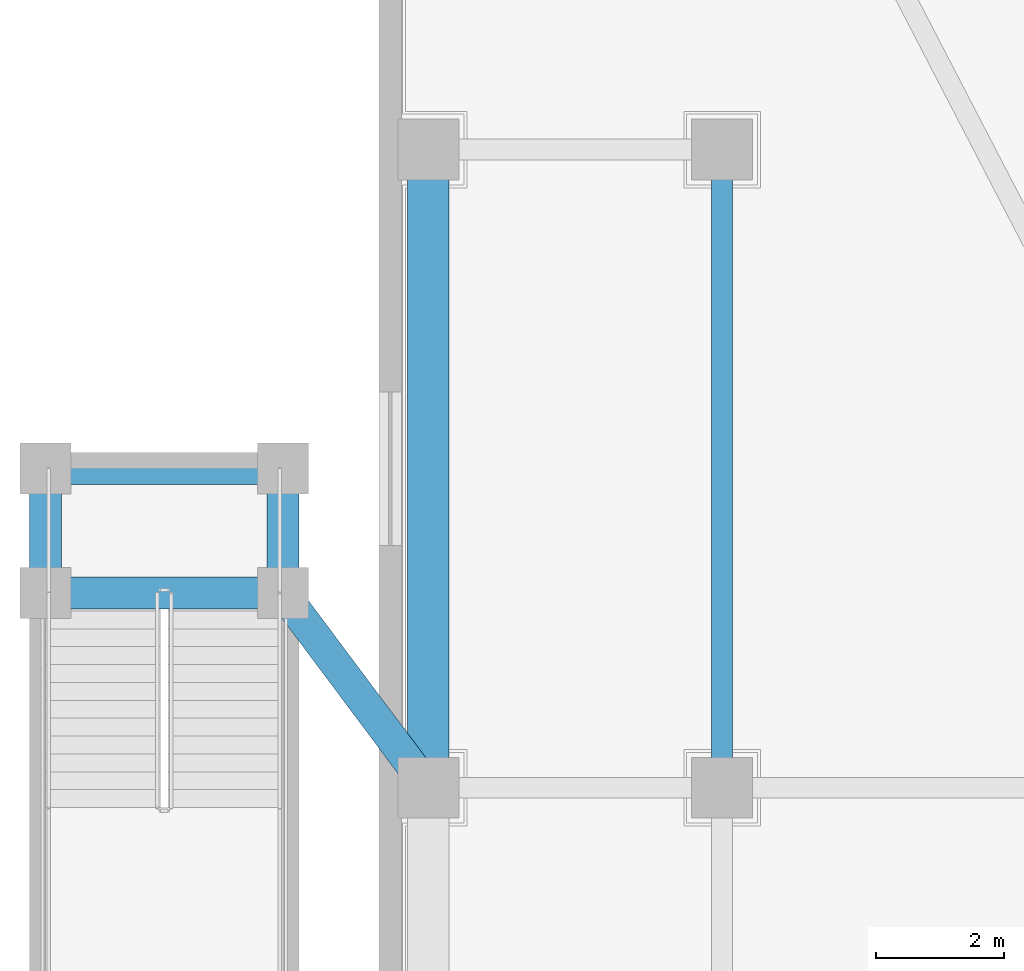
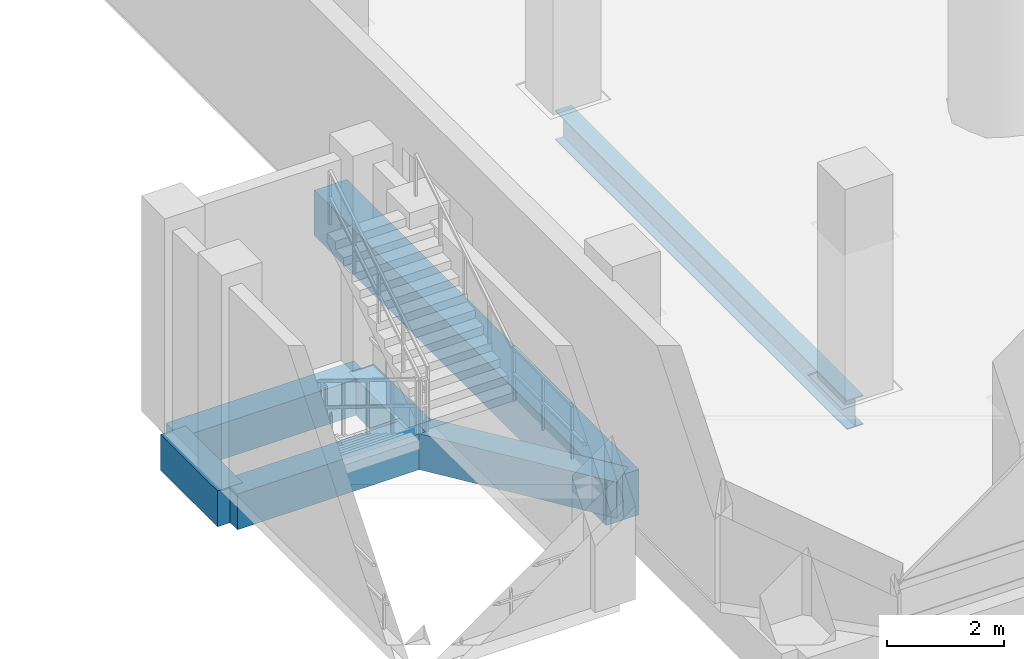
# One storey, part 3 of 36: 7 beams.
"""IFC4 building model written with IfcOpenShell, lengths in metres."""

import ifcopenshell
import ifcopenshell.guid

model = None  # the IFC model being written
_history = None  # IfcOwnerHistory: only IFC2X3 demands one
_inside = {}  # id of a spatial element -> (the spatial element, [elements in it])
_under = {}  # id of a project, library or spatial element -> (it, [spatial elements below it])
_declared = {}  # id of a project -> (the project, [libraries it declares])
_typed = {}  # id of a type object -> (the type object, [elements of that type])
_made_of = {}  # id of a material, layer set ... -> (it, [elements and type objects made of it])


def new_model(schema):
    """Start an empty IFC model of exactly this schema.

    Asked for "IFC4X3", IfcOpenShell would pick the latest addendum, in which some entities
    have other attributes; the version numbers below select the first issue.
    IFC2X3 requires an IfcOwnerHistory on every rooted entity: one is made here for all.
    """
    global model, _history
    if schema == "IFC4X3":
        model = ifcopenshell.file(schema_version=(4, 3, 0, 0))
    else:
        model = ifcopenshell.file(schema=schema)
    _inside.clear()
    _under.clear()
    _declared.clear()
    _typed.clear()
    _made_of.clear()
    _history = None
    if model.schema == "IFC2X3":
        org = make("IfcOrganization", Name="unknown")
        user = make(
            "IfcPersonAndOrganization",
            ThePerson=make("IfcPerson", FamilyName="unknown"),
            TheOrganization=org,
        )
        app = make(
            "IfcApplication",
            ApplicationDeveloper=org,
            Version="unknown",
            ApplicationFullName="unknown",
            ApplicationIdentifier="unknown",
        )
        _history = make(
            "IfcOwnerHistory",
            OwningUser=user,
            OwningApplication=app,
            ChangeAction="ADDED",
            CreationDate=0,
        )
    return model


def make(cls, **values):
    """One entity of the class cls with the attributes given. An attribute that is None is left unset."""
    return model.create_entity(
        cls, **{name: value for name, value in values.items() if value is not None}
    )


def rooted(cls, **values):
    """An entity with a GlobalId (a new one), such as an element, a storey or a relation."""
    return make(cls, GlobalId=ifcopenshell.guid.new(), OwnerHistory=_history, **values)


def si_unit(unit_type, name, prefix=None):
    """IfcSIUnit, for example si_unit("LENGTHUNIT", "METRE", prefix="MILLI")."""
    return make("IfcSIUnit", UnitType=unit_type, Prefix=prefix, Name=name)


def assignment(units):
    """IfcUnitAssignment: the units of a project."""
    return None if units is None else make("IfcUnitAssignment", Units=units)


def point(xyz):
    """IfcCartesianPoint."""
    return None if xyz is None else make("IfcCartesianPoint", Coordinates=xyz)


def direction(xyz):
    """IfcDirection."""
    return None if xyz is None else make("IfcDirection", DirectionRatios=xyz)


def frame(location, z_axis=None, x_axis=None):
    """IfcAxis2Placement3D, a coordinate frame: its origin and axes. An axis left out is left unset."""
    return make(
        "IfcAxis2Placement3D",
        Location=point(location),
        Axis=direction(z_axis),
        RefDirection=direction(x_axis),
    )


def frame_2d(location, x_axis=None):
    """IfcAxis2Placement2D, a coordinate frame in the plane: its origin and x axis."""
    return make(
        "IfcAxis2Placement2D", Location=point(location), RefDirection=direction(x_axis)
    )


def origin():
    """The frame at (0, 0, 0) with its axes left unset."""
    return frame((0.0, 0.0, 0.0))


def origin_2d():
    """The frame at (0, 0) in the plane with its x axis left unset."""
    return frame_2d((0.0, 0.0))


def place(relative_to, where):
    """IfcLocalPlacement: puts the frame where relative to a parent placement (None: the world)."""
    return make(
        "IfcLocalPlacement", PlacementRelTo=relative_to, RelativePlacement=where
    )


def context(
    kind, dimensions, precision=None, world=None, true_north=None, identifier=None
):
    """IfcGeometricRepresentationContext, for example the 3D "Model" context."""
    return make(
        "IfcGeometricRepresentationContext",
        ContextIdentifier=identifier,
        ContextType=kind,
        CoordinateSpaceDimension=dimensions,
        Precision=precision,
        WorldCoordinateSystem=world,
        TrueNorth=true_north,
    )


def subcontext(parent, identifier, kind, view, scale=None):
    """IfcGeometricRepresentationSubContext, for example "Body" below "Model"."""
    return make(
        "IfcGeometricRepresentationSubContext",
        ContextIdentifier=identifier,
        ContextType=kind,
        ParentContext=parent,
        TargetScale=scale,
        TargetView=view,
    )


def project(units=None, contexts=None):
    """IfcProject with its units and contexts."""
    return rooted(
        "IfcProject",
        Name="project",
        RepresentationContexts=contexts,
        UnitsInContext=assignment(units),
    )


def spatial(cls, under=None, at=None, **own):
    """A site, building, storey or space (cls), placed at a placement, below another one or the project."""
    s = rooted(cls, ObjectPlacement=at, **own)
    if under is not None:
        _under.setdefault(under.id(), (under, []))[1].append(s)
    return s


def profile(cls, at=None, kind="AREA", **sizes):
    """A parametric profile (cls). Its sizes go by their IFC names, for example OverallWidth=200.0."""
    return make(cls, ProfileType=kind, Position=at, **sizes)


def rectangle(**sizes):
    """IfcRectangleProfileDef."""
    return profile("IfcRectangleProfileDef", **sizes)


def i_section(**sizes):
    """IfcIShapeProfileDef."""
    return profile("IfcIShapeProfileDef", **sizes)


def extrude(swept, where, along, depth):
    """IfcExtrudedAreaSolid: the profile swept, set in the frame where, extruded along a direction by depth."""
    return make(
        "IfcExtrudedAreaSolid",
        SweptArea=swept,
        Position=where,
        ExtrudedDirection=direction(along),
        Depth=depth,
    )


def shape(context_of_items, identifier, shape_type, items):
    """IfcShapeRepresentation: the items that make up one representation, for example the "Body"."""
    return make(
        "IfcShapeRepresentation",
        ContextOfItems=context_of_items,
        RepresentationIdentifier=identifier,
        RepresentationType=shape_type,
        Items=items,
    )


def material(Name=None, Category=None):
    """IfcMaterial."""
    return make("IfcMaterial", Name=Name, Category=Category)


def material_profile(
    of_material, cross_section, Name=None, Category=None, Priority=None
):
    """IfcMaterialProfile: a cross section and its material."""
    return make(
        "IfcMaterialProfile",
        Name=Name,
        Material=of_material,
        Profile=cross_section,
        Priority=Priority,
        Category=Category,
    )


def profile_set(profiles, Name=None, composite=None):
    """IfcMaterialProfileSet."""
    return make(
        "IfcMaterialProfileSet",
        Name=Name,
        MaterialProfiles=profiles,
        CompositeProfile=composite,
    )


def made_of(thing, what):
    """Note that an element or type object is made of a material, layer set ...; save() writes the relation."""
    if what is not None:
        _made_of.setdefault(what.id(), (what, []))[1].append(thing)
    return thing


def type_object(cls, material=None, **own):
    """A type object (cls), such as IfcWallType, which elements share."""
    return made_of(rooted(cls, **own), material)


def element(
    cls,
    number,
    at=None,
    inside=None,
    cuts=None,
    type_object=None,
    material=None,
    context=None,
    identifier="Body",
    shape_type=None,
    held_by="IfcProductDefinitionShape",
    body=None,
    shapes=None,
    **own,
):
    """One element of the class cls, such as IfcWall. Its Tag is "e" and its number.

    at: its placement. inside: the storey or other place that contains it. cuts: it is an
    opening in that element (IfcRelVoidsElement). A single representation is given by context,
    identifier, shape_type and body (its items); several are given by shapes. held_by: the class
    of the entity that holds the representations. save() writes the other relations.
    """
    e = rooted(cls, Tag="e%d" % number, ObjectPlacement=at, **own)
    if body is not None:
        shapes = [shape(context, identifier, shape_type, body)]
    if shapes is not None:
        e.Representation = make(held_by, Representations=shapes)
    if inside is not None:
        _inside.setdefault(inside.id(), (inside, []))[1].append(e)
    if cuts is not None:
        rooted(
            "IfcRelVoidsElement", RelatingBuildingElement=cuts, RelatedOpeningElement=e
        )
    if type_object is not None:
        _typed.setdefault(type_object.id(), (type_object, []))[1].append(e)
    return made_of(e, material)


def aggregate(whole, parts):
    """IfcRelAggregates: a whole, such as a stair, and the parts it consists of."""
    return rooted("IfcRelAggregates", RelatingObject=whole, RelatedObjects=parts)


def save(model, path):
    """Write the relations noted so far, then the file.

    IfcRelAggregates (storeys below a building ...), IfcRelContainedInSpatialStructure (elements
    in a storey), IfcRelDefinesByType, IfcRelAssociatesMaterial and IfcRelDeclares: one each for
    every whole, place, type object, material and project.
    """
    for whole, parts in _under.values():
        aggregate(whole, parts)
    for where, things in _inside.values():
        rooted(
            "IfcRelContainedInSpatialStructure",
            RelatedElements=things,
            RelatingStructure=where,
        )
    for kind, things in _typed.values():
        rooted("IfcRelDefinesByType", RelatedObjects=things, RelatingType=kind)
    for what, things in _made_of.values():
        rooted("IfcRelAssociatesMaterial", RelatedObjects=things, RelatingMaterial=what)
    for by, libraries in _declared.values():
        rooted("IfcRelDeclares", RelatingContext=by, RelatedDefinitions=libraries)
    model.write(path)


model = new_model("IFC4")

# Units and contexts
model_context = context("Model", 3, precision=1e-05, world=origin(), true_north=direction((-0.2419218956, 0.970295726276)))
body_context = subcontext(model_context, "Body", "Model", "MODEL_VIEW")
ifc_project = project(units=[si_unit("LENGTHUNIT", "METRE"), si_unit("AREAUNIT", "SQUARE_METRE"), si_unit("VOLUMEUNIT", "CUBIC_METRE"), si_unit("PLANEANGLEUNIT", "RADIAN"), si_unit("MASSUNIT", "GRAM", prefix="KILO")], contexts=[model_context])

# Site, building, storey
site_placement = place(None, origin())
site = spatial("IfcSite", under=ifc_project, at=site_placement, CompositionType="ELEMENT")
building_placement = place(site_placement, origin())
building = spatial("IfcBuilding", under=site, at=building_placement, Name="Cobrevalo Terracotta Tower", CompositionType="ELEMENT")
storey_placement = place(building_placement, frame((0.0, 0.0, 9.89990234375)))
storey = spatial("IfcBuildingStorey", under=building, at=storey_placement, Name="L02", CompositionType="ELEMENT", Elevation=9.89990234375)

# Beams
ifc_material_1 = material(Name="Steel S355", Category="steel")
ifc_material_profile_1 = material_profile(ifc_material_1, i_section(OverallWidth=0.324951171875, OverallDepth=0.615966796875, WebThickness=0.013916015625, FlangeThickness=0.021484375, at=origin_2d()), Name="W 610x174")
ifc_profile_set_1 = profile_set([ifc_material_profile_1], Name="Steel S355")
beam_type_1 = type_object("IfcBeamType", Name="Structural Beam W 610x174 (Steel S355)", PredefinedType="BEAM", material=ifc_profile_set_1)
beam_1_placement = place(storey_placement, frame((9.0, 8.800048828125, -0.60791015625), z_axis=(0.0, 1.0, 0.0), x_axis=(-1.0, 0.0, 0.0)))
element("IfcBeam", 1, at=beam_1_placement, inside=storey, type_object=beam_type_1, Name="L02 podium grid beam G2-GB to G2-GC", PredefinedType="BEAM", context=body_context, shape_type="SweptSolid", body=[
    extrude(i_section(OverallWidth=0.324951171875, OverallDepth=0.615966796875, WebThickness=0.013916015625, FlangeThickness=0.021484375, at=origin_2d()), origin(), (0.0, 0.0, 1.0), 10.0),
])
ifc_material_2 = material(Name="Concrete C50", Category="concrete")
ifc_material_profile_2 = material_profile(ifc_material_2, rectangle(XDim=0.64990234375, YDim=0.949951171875, at=origin_2d()), Name="RC BM 650x950")
ifc_profile_set_2 = profile_set([ifc_material_profile_2], Name="Concrete C50")
beam_type_2 = type_object("IfcBeamType", Name="Structural Spandrel RC BM 650x950 (Concrete C50)", PredefinedType="SPANDREL", material=ifc_profile_set_2)
beam_2_placement = place(storey_placement, frame((4.39990234375, 8.800048828125, -0.77490234375), z_axis=(0.0, 1.0, 0.0), x_axis=(-1.0, 0.0, 0.0)))
element("IfcBeam", 2, at=beam_2_placement, inside=storey, type_object=beam_type_2, Name="L02 podium grid beam G1-GB to G1-GC", PredefinedType="SPANDREL", context=body_context, shape_type="SweptSolid", body=[
    extrude(rectangle(XDim=0.64990234375, YDim=0.949951171875, at=origin_2d()), origin(), (0.0, 0.0, 1.0), 10.0),
])
ifc_material_profile_3 = material_profile(ifc_material_2, rectangle(XDim=0.5, YDim=0.75, at=origin_2d()), Name="RC BM 500x750")
ifc_profile_set_3 = profile_set([ifc_material_profile_3], Name="Concrete C50")
beam_type_3 = type_object("IfcBeamType", Name="Structural T Beam RC BM 500x750 (Concrete C50)", PredefinedType="T_BEAM", material=ifc_profile_set_3)
for number, where, z_axis, x_axis, name in (
    (3, (-1.60009765625, 11.85009765625, -0.6748046875), (0.0, 1.0, 0.0), (-1.0, 0.0, 0.0), "L02 garden stair landing side beam W1"),
    (4, (2.1201171875, 11.85009765625, -0.6748046875), (0.0, 1.0, 0.0), (-1.0, 0.0, 0.0), "L02 garden stair landing side beam W2"),
):
    element("IfcBeam", number, at=place(storey_placement, frame(where, z_axis=z_axis, x_axis=x_axis)), inside=storey, type_object=beam_type_3, Name=name, PredefinedType="T_BEAM", context=body_context, shape_type="SweptSolid", body=[
        extrude(rectangle(XDim=0.5, YDim=0.75, at=origin_2d()), origin(), (0.0, 0.0, 1.0), 1.949951171875),
    ])
for number, where, z_axis, x_axis, name in (
    (5, (-1.60009765625, 11.85009765625, -0.6748046875), (1.0, 0.0, 0.0), (0.0, 1.0, 0.0), "L02 garden stair shaft header beam WS"),
    (6, (-1.60009765625, 13.800048828125, -0.6748046875), (1.0, 0.0, 0.0), (0.0, 1.0, 0.0), "L02 garden stair shaft header beam WN"),
):
    element("IfcBeam", number, at=place(storey_placement, frame(where, z_axis=z_axis, x_axis=x_axis)), inside=storey, type_object=beam_type_3, Name=name, PredefinedType="T_BEAM", context=body_context, shape_type="SweptSolid", body=[
        extrude(rectangle(XDim=0.5, YDim=0.75, at=origin_2d()), origin(), (0.0, 0.0, 1.0), 3.72021484375),
    ])
beam_3_placement = place(storey_placement, frame((2.1201171875, 11.85009765625, -0.6748046875), z_axis=(0.59869640819, -0.800976036359, 0.0), x_axis=(0.800976036359, 0.59869640819, 0.0)))
element("IfcBeam", 7, at=beam_3_placement, inside=storey, type_object=beam_type_3, Name="L02 garden stair frame tie beam W1", PredefinedType="T_BEAM", context=body_context, shape_type="SweptSolid", body=[
    extrude(rectangle(XDim=0.5, YDim=0.75, at=origin_2d()), origin(), (0.0, 0.0, 1.0), 3.807861328125),
])

save(model, "model.ifc")
